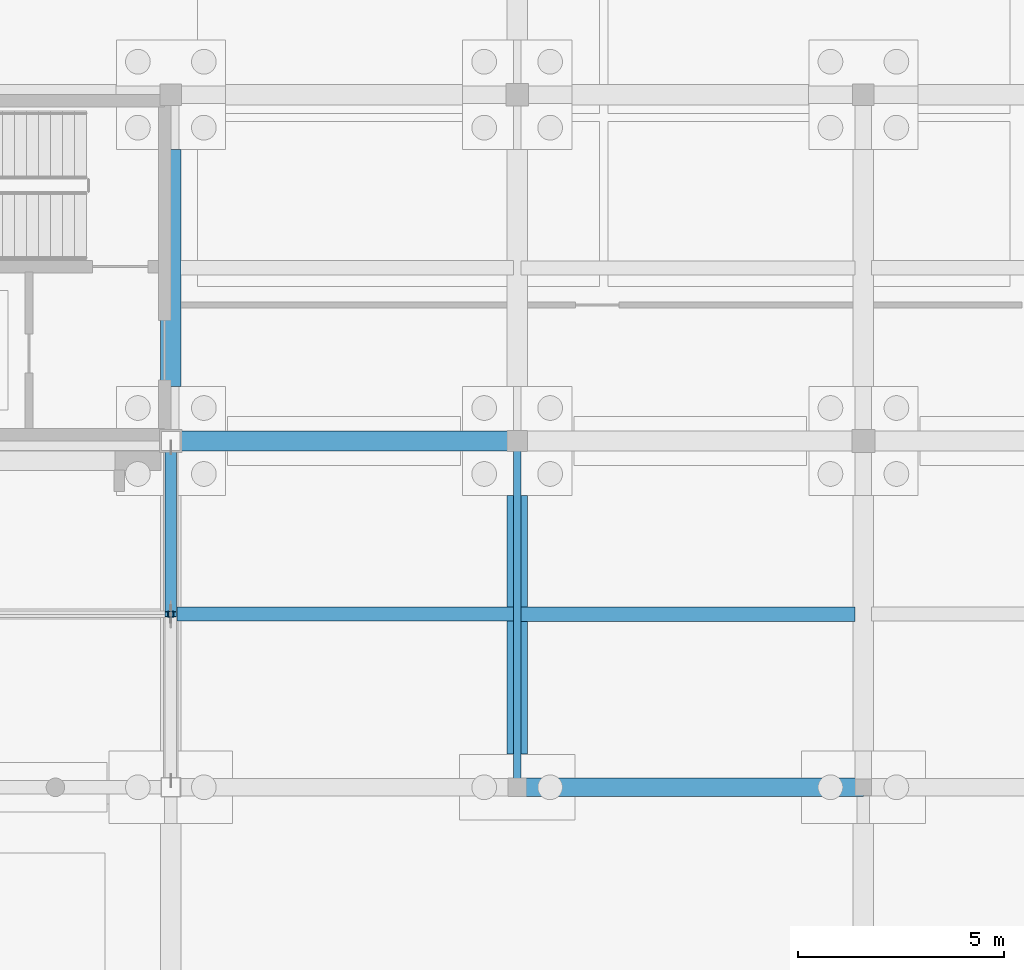
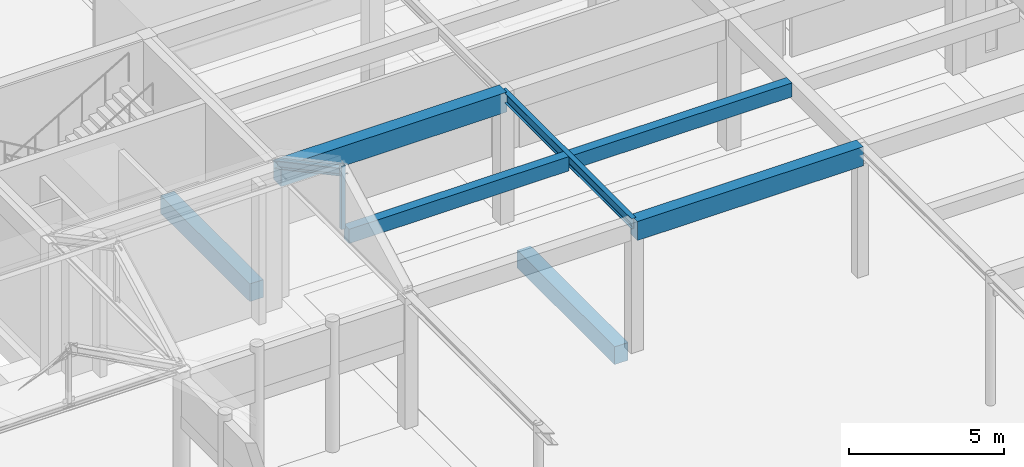
# One storey, part 53 of 143: 7 beams, 2 members.
"""IFC4 building model written with IfcOpenShell, lengths in metres."""

from ifc_helpers import new_model, si_unit, direction, frame, origin, origin_2d, place, context, subcontext, project, spatial, rectangle, hollow_rectangle, i_section, extrude, material, material_profile, profile_set, type_object, element, save


model = new_model("IFC4")

# Units and contexts
model_context = context("Model", 3, precision=1e-05, world=origin(), true_north=direction((0.0, 1.0)))
body_context = subcontext(model_context, "Body", "Model", "MODEL_VIEW")
ifc_project = project(units=[si_unit("LENGTHUNIT", "METRE"), si_unit("AREAUNIT", "SQUARE_METRE"), si_unit("VOLUMEUNIT", "CUBIC_METRE"), si_unit("PLANEANGLEUNIT", "RADIAN"), si_unit("MASSUNIT", "GRAM", prefix="KILO")], contexts=[model_context])

# Site, building, storey
site_placement = place(None, origin())
site = spatial("IfcSite", under=ifc_project, at=site_placement, CompositionType="ELEMENT")
building_placement = place(site_placement, origin())
building = spatial("IfcBuilding", under=site, at=building_placement, Name="Kveldsbrygga Polytechnic", CompositionType="ELEMENT")
storey_placement = place(building_placement, origin())
storey = spatial("IfcBuildingStorey", under=building, at=storey_placement, Name="L00", CompositionType="ELEMENT", Elevation=0.0)

# Beams
ifc_material_1 = material(Name="Concrete C35/45", Category="concrete")
ifc_material_profile_1 = material_profile(ifc_material_1, rectangle(XDim=0.449951171875, YDim=0.75, at=origin_2d()), Name="RC 450x750")
ifc_profile_set_1 = profile_set([ifc_material_profile_1], Name="Concrete C35/45")
beam_type_1 = type_object("IfcBeamType", Name="BM-RC-450x750", PredefinedType="BEAM", material=ifc_profile_set_1)
beam_1_placement = place(storey_placement, frame((58.800048828125, 75.60009765625, 4.764892578125), z_axis=(1.0, 0.0, 0.0), x_axis=(0.0, 1.0, 0.0)))
element("IfcBeam", 1, at=beam_1_placement, inside=storey, type_object=beam_type_1, Name="Primary Beam BMX-L00-07to08-09", PredefinedType="BEAM", context=body_context, shape_type="SweptSolid", body=[
    extrude(rectangle(XDim=0.449951171875, YDim=0.75, at=origin_2d()), origin(), (0.0, 0.0, 1.0), 8.39990234375),
])
ifc_material_profile_2 = material_profile(ifc_material_1, rectangle(XDim=0.47998046875, YDim=0.780029296875, at=origin_2d()), Name="RC 480x780")
ifc_profile_set_2 = profile_set([ifc_material_profile_2], Name="Concrete C35/45")
beam_type_2 = type_object("IfcBeamType", Name="BM-RC-480x780", PredefinedType="BEAM", material=ifc_profile_set_2)
beam_2_placement = place(storey_placement, frame((50.39990234375, 84.0, 4.75), z_axis=(1.0, 0.0, 0.0), x_axis=(0.0, 1.0, 0.0)))
element("IfcBeam", 2, at=beam_2_placement, inside=storey, type_object=beam_type_2, Name="Primary Beam BMX-L00-06to07-10", PredefinedType="BEAM", context=body_context, shape_type="SweptSolid", body=[
    extrude(rectangle(XDim=0.47998046875, YDim=0.780029296875, at=origin_2d()), origin(), (0.0, 0.0, 1.0), 8.400146484375),
])
ifc_material_2 = material(Name="Steel S355", Category="steel")
ifc_material_profile_3 = material_profile(ifc_material_2, i_section(OverallWidth=0.179931640625, OverallDepth=0.39990234375, WebThickness=0.008544921875, FlangeThickness=0.013427734375, FilletRadius=0.02099609375, at=origin_2d()), Name="IPE 400")
ifc_profile_set_3 = profile_set([ifc_material_profile_3], Name="Steel S355")
beam_type_3 = type_object("IfcBeamType", Name="BM-STL-IPE400", PredefinedType="BEAM", material=ifc_profile_set_3)
beam_3_placement = place(storey_placement, frame((58.800048828125, 75.60009765625, 4.93994140625), z_axis=(0.0, 1.0, 0.0), x_axis=(-1.0, 0.0, 0.0)))
element("IfcBeam", 3, at=beam_3_placement, inside=storey, type_object=beam_type_3, Name="Primary Beam BMY-L00-07-09to10", PredefinedType="BEAM", context=body_context, shape_type="SweptSolid", body=[
    extrude(i_section(OverallWidth=0.179931640625, OverallDepth=0.39990234375, WebThickness=0.008544921875, FlangeThickness=0.013427734375, FilletRadius=0.02099609375, at=origin_2d()), origin(), (0.0, 0.0, 1.0), 8.39990234375),
])
ifc_material_profile_4 = material_profile(ifc_material_1, rectangle(XDim=0.5, YDim=0.699951171875, at=origin_2d()), Name="RC 500x700")
ifc_profile_set_4 = profile_set([ifc_material_profile_4], Name="Concrete C35/45")
beam_type_4 = type_object("IfcBeamType", Name="BM-TIE-500x700", PredefinedType="BEAM", material=ifc_profile_set_4)
beam_4_placement = place(storey_placement, frame((50.39990234375, 85.326904296875, -0.669921875), z_axis=(0.0, 1.0, 0.0), x_axis=(-1.0, 0.0, 0.0)))
element("IfcBeam", 4, at=beam_4_placement, inside=storey, type_object=beam_type_4, Name="Ground Tie Beam GB-L00-Y-06-10", PredefinedType="BEAM", context=body_context, shape_type="SweptSolid", body=[
    extrude(rectangle(XDim=0.5, YDim=0.699951171875, at=origin_2d()), origin(), (0.0, 0.0, 1.0), 5.74609375),
])
beam_5_placement = place(storey_placement, frame((58.800048828125, 76.402099609375, -0.669921875), z_axis=(0.0, 1.0, 0.0), x_axis=(-1.0, 0.0, 0.0)))
element("IfcBeam", 5, at=beam_5_placement, inside=storey, type_object=beam_type_4, Name="Ground Tie Beam GB-L00-Y-07-09", PredefinedType="BEAM", context=body_context, shape_type="SweptSolid", body=[
    extrude(rectangle(XDim=0.5, YDim=0.699951171875, at=origin_2d()), origin(), (0.0, 0.0, 1.0), 6.27099609375),
])
ifc_material_profile_5 = material_profile(ifc_material_1, rectangle(XDim=0.340087890625, YDim=0.56005859375, at=origin_2d()), Name="RC 340x560")
ifc_profile_set_5 = profile_set([ifc_material_profile_5], Name="Concrete C35/45")
beam_type_5 = type_object("IfcBeamType", Name="JST-RC-340x560", PredefinedType="JOIST", material=ifc_profile_set_5)
beam_6_placement = place(storey_placement, frame((50.550048828125, 79.800048828125, 4.860107421875), z_axis=(1.0, 0.0, 0.0), x_axis=(0.0, 1.0, 0.0)))
element("IfcBeam", 6, at=beam_6_placement, inside=storey, type_object=beam_type_5, Name="Secondary Joist JST-L00-06-09", PredefinedType="JOIST", context=body_context, shape_type="SweptSolid", body=[
    extrude(rectangle(XDim=0.340087890625, YDim=0.56005859375, at=origin_2d()), origin(), (0.0, 0.0, 1.0), 8.159912109375),
])
ifc_material_profile_6 = material_profile(ifc_material_1, rectangle(XDim=0.35009765625, YDim=0.550048828125, at=origin_2d()), Name="RC 350x550")
ifc_profile_set_6 = profile_set([ifc_material_profile_6], Name="Concrete C35/45")
beam_type_6 = type_object("IfcBeamType", Name="JST-RC-350x550", PredefinedType="JOIST", material=ifc_profile_set_6)
beam_7_placement = place(storey_placement, frame((58.889892578125, 79.800048828125, 4.864990234375), z_axis=(1.0, 0.0, 0.0), x_axis=(0.0, 1.0, 0.0)))
element("IfcBeam", 7, at=beam_7_placement, inside=storey, type_object=beam_type_6, Name="Secondary Joist JST-L00-07-09", PredefinedType="JOIST", context=body_context, shape_type="SweptSolid", body=[
    extrude(rectangle(XDim=0.35009765625, YDim=0.550048828125, at=origin_2d()), origin(), (0.0, 0.0, 1.0), 8.110107421875),
])

# Members
ifc_material_profile_7 = material_profile(ifc_material_2, hollow_rectangle(XDim=0.139892578125, YDim=0.139892578125, WallThickness=0.008056640625, at=origin_2d()), Name="SHS 140x140x8.0")
ifc_profile_set_7 = profile_set([ifc_material_profile_7], Name="Steel S355")
member_type_1 = type_object("IfcMemberType", Name="TR-POST-SHS140", PredefinedType="STRUT", material=ifc_profile_set_7)
member_1_placement = place(storey_placement, frame((50.39990234375, 79.800048828125, 5.139892578125), z_axis=(0.0, 0.0, 1.0), x_axis=(1.0, 0.0, 0.0)))
element("IfcMember", 8, at=member_1_placement, inside=storey, type_object=member_type_1, Name="Truss Vertical ARC-WN-T03-VT-1", PredefinedType="STRUT", context=body_context, shape_type="SweptSolid", body=[
    extrude(hollow_rectangle(XDim=0.139892578125, YDim=0.139892578125, WallThickness=0.008056640625, at=origin_2d()), origin(), (0.0, 0.0, 1.0), 2.493896484375),
])
ifc_material_profile_8 = material_profile(ifc_material_2, i_section(OverallWidth=0.280029296875, OverallDepth=0.280029296875, WebThickness=0.010498046875, FlangeThickness=0.01806640625, FilletRadius=0.02392578125, at=origin_2d()), Name="HEB 280")
ifc_profile_set_8 = profile_set([ifc_material_profile_8], Name="Steel S355")
member_type_2 = type_object("IfcMemberType", Name="TR-TOP-HEB280", PredefinedType="CHORD", material=ifc_profile_set_8)
member_2_placement = place(storey_placement, frame((50.39990234375, 79.800048828125, 7.389892578125), z_axis=(0.0, 0.881477684796, -0.472225678258), x_axis=(-1.0, 0.0, 0.0)))
element("IfcMember", 9, at=member_2_placement, inside=storey, type_object=member_type_2, Name="Truss Top Chord ARC-WN-T03-TC-2", PredefinedType="CHORD", context=body_context, shape_type="SweptSolid", body=[
    extrude(i_section(OverallWidth=0.280029296875, OverallDepth=0.280029296875, WebThickness=0.010498046875, FlangeThickness=0.01806640625, FilletRadius=0.02392578125, at=origin_2d()), origin(), (0.0, 0.0, 1.0), 4.7646484375),
])

save(model, "model.ifc")
